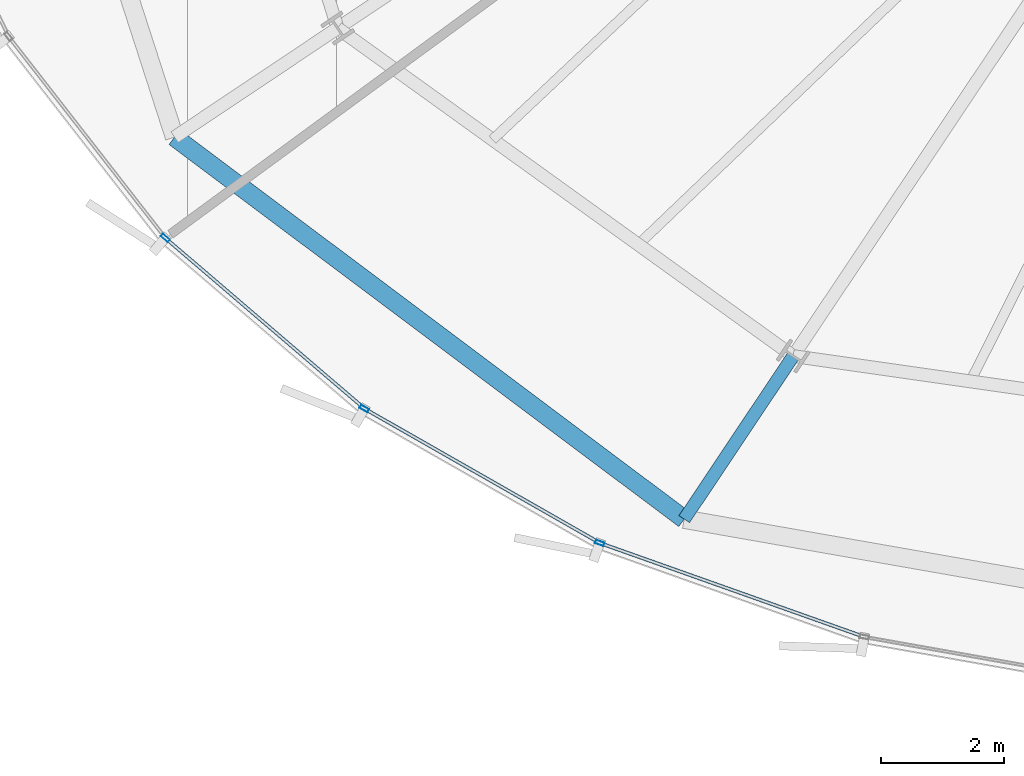
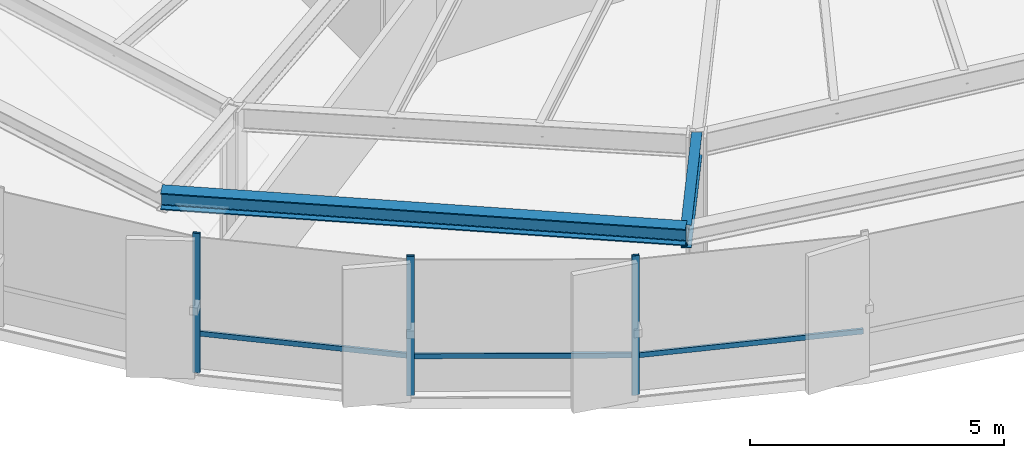
# One storey, part 2 of 33: 6 members, 2 beams, 1 element without a shape of its own.
"""IFC4 building model written with IfcOpenShell, lengths in metres."""

from ifc_helpers import new_model, si_unit, direction, frame, origin, origin_2d, place, context, subcontext, project, spatial, hollow_rectangle, i_section, extrude, source, transform, mapped, material, layer, layer_set, material_profile, profile_set, type_object, element, aggregate, save


model = new_model("IFC4")

# Units and contexts
model_context = context("Model", 3, precision=1e-05, world=origin(), true_north=direction((0.0, 1.0)))
body_context = subcontext(model_context, "Body", "Model", "MODEL_VIEW")
ifc_project = project(units=[si_unit("LENGTHUNIT", "METRE"), si_unit("AREAUNIT", "SQUARE_METRE"), si_unit("VOLUMEUNIT", "CUBIC_METRE"), si_unit("PLANEANGLEUNIT", "RADIAN"), si_unit("MASSUNIT", "GRAM", prefix="KILO"), si_unit("THERMODYNAMICTEMPERATUREUNIT", "KELVIN")], contexts=[model_context])

# Site, building, storey
site_placement = place(None, origin())
site = spatial("IfcSite", under=ifc_project, at=site_placement, CompositionType="ELEMENT")
building_placement = place(site_placement, origin())
building = spatial("IfcBuilding", under=site, at=building_placement, Name="Kethvar Cultural Tower", CompositionType="ELEMENT")
storey_placement = place(building_placement, frame((0.0, 0.0, 114.39990234375)))
storey = spatial("IfcBuildingStorey", under=building, at=storey_placement, Name="L28", CompositionType="ELEMENT", Elevation=114.39990234375)

# Beams
ifc_material_1 = material(Name="Steel S355J2", Category="steel")
ifc_material_profile_1 = material_profile(ifc_material_1, i_section(OverallWidth=0.2099609375, OverallDepth=0.550048828125, WebThickness=0.010986328125, FlangeThickness=0.01708984375, FilletRadius=0.02392578125, at=origin_2d()), Name="Steel S355J2 — IPE550")
ifc_profile_set_1 = profile_set([ifc_material_profile_1], Name="Steel S355J2 — IPE550")
beam_type_1 = type_object("IfcBeamType", Name="BM-IPE550", PredefinedType="BEAM", material=ifc_profile_set_1)
shared_shape_1 = source(origin(), body_context, "Body", "SweptSolid", [
    extrude(i_section(OverallWidth=0.2099609375, OverallDepth=0.550048828125, WebThickness=0.010986328125, FlangeThickness=0.01708984375, FilletRadius=0.02392578125, at=origin_2d()), origin(), (0.0, 0.0, 1.0), 3.199951171875),
])
beam_1_placement = place(storey_placement, frame((34.350830078125, 9.16845703125, 3.072998046875), z_axis=(-0.555580212716, -0.831462943996, 0.0), x_axis=(0.831462943996, -0.555580212716, 0.0)))
element("IfcBeam", 1, at=beam_1_placement, inside=storey, type_object=beam_type_1, Name="L28 Perimeter Cantilever Beam RC-11", PredefinedType="BEAM", context=body_context, shape_type="MappedRepresentation", body=[
    mapped(shared_shape_1, transform((0.0, 0.0, 0.0), scale=1.0)),
])
ifc_material_profile_2 = material_profile(ifc_material_1, i_section(OverallWidth=0.300048828125, OverallDepth=0.39990234375, WebThickness=0.013427734375, FlangeThickness=0.02392578125, FilletRadius=0.027099609375, at=origin_2d()), Name="Steel S355J2 — HEB400")
ifc_profile_set_2 = profile_set([ifc_material_profile_2], Name="Steel S355J2 — HEB400")
beam_type_2 = type_object("IfcBeamType", Name="BM-SP400", PredefinedType="SPANDREL", material=ifc_profile_set_2)
shared_shape_2 = source(origin(), body_context, "Body", "SweptSolid", [
    extrude(i_section(OverallWidth=0.300048828125, OverallDepth=0.39990234375, WebThickness=0.013427734375, FlangeThickness=0.02392578125, FilletRadius=0.027099609375, at=origin_2d()), origin(), (0.0, 0.0, 1.0), 10.38916015625),
])
beam_2_placement = place(storey_placement, frame((24.260009765625, 12.7392578125, 3.148193359375), z_axis=(0.800152249906, -0.599796946449, 0.0), x_axis=(0.599796946449, 0.800152249906, 0.0)))
element("IfcBeam", 2, at=beam_2_placement, inside=storey, type_object=beam_type_2, Name="L28 Perimeter Spandrel Beam SP-10", PredefinedType="SPANDREL", context=body_context, shape_type="MappedRepresentation", body=[
    mapped(shared_shape_2, transform((0.0, 0.0, 0.0), scale=1.0)),
])

# Curtain wall, members
ifc_material_2 = material(Name="Aluminium 6063-T6", Category="aluminium")
ifc_layer = layer(ifc_material_2, 0.179931640625, Name="Aluminium 6063-T6", Category="aluminium")
ifc_layer_set = layer_set([ifc_layer], Name="Aluminium 6063-T6 (180 mm)")
curtain_wall_type = type_object("IfcCurtainWallType", Name="CW-SYS-03-Z2", PredefinedType="NOTDEFINED", material=ifc_layer_set)
curtain_wall_placement = place(storey_placement, origin())
curtain_wall = element("IfcCurtainWall", 3, at=curtain_wall_placement, inside=storey, type_object=curtain_wall_type, Name="L28 Curtain Wall Run 04", PredefinedType="NOTDEFINED")
ifc_material_profile_3 = material_profile(ifc_material_2, hollow_rectangle(XDim=0.06005859375, YDim=0.14990234375, WallThickness=0.0048828125, at=origin_2d()), Name="Aluminium 6063-T6 — RHS150x60x5")
ifc_profile_set_3 = profile_set([ifc_material_profile_3], Name="Aluminium 6063-T6 — RHS150x60x5")
member_type_1 = type_object("IfcMemberType", Name="CW-SYS-03-Z2-MUL", PredefinedType="MULLION", material=ifc_profile_set_3)
shared_shape_3 = source(origin(), body_context, "Body", "SweptSolid", [
    extrude(hollow_rectangle(XDim=0.06005859375, YDim=0.14990234375, WallThickness=0.0048828125, at=origin_2d()), origin(), (0.0, 0.0, 1.0), 3.35009765625),
])
member_1_placement = place(storey_placement, frame((24.1083984375, 11.09423828125, 0.0), z_axis=(0.0, 0.0, 1.0), x_axis=(0.650350058695, 0.759634649786, 0.0)))
member_1 = element("IfcMember", 4, at=member_1_placement, type_object=member_type_1, Name="CW-L28-R04 Mullion 3", PredefinedType="MULLION", context=body_context, shape_type="MappedRepresentation", body=[
    mapped(shared_shape_3, transform((0.0, 0.0, 0.0), scale=1.0)),
])
member_2_placement = place(storey_placement, frame((27.355712890625, 8.311279296875, 0.0), z_axis=(0.0, 0.0, 1.0), x_axis=(0.495413186314, 0.868657455403, 0.0)))
member_2 = element("IfcMember", 5, at=member_2_placement, type_object=member_type_1, Name="CW-L28-R04 Mullion 4", PredefinedType="MULLION", context=body_context, shape_type="MappedRepresentation", body=[
    mapped(shared_shape_3, transform((0.0, 0.0, 0.0), scale=1.0)),
])
member_3_placement = place(storey_placement, frame((31.195068359375, 6.11962890625, 0.0), z_axis=(0.0, 0.0, 1.0), x_axis=(0.334547105099, 0.942379029091, 0.0)))
member_3 = element("IfcMember", 6, at=member_3_placement, type_object=member_type_1, Name="CW-L28-R04 Mullion 5", PredefinedType="MULLION", context=body_context, shape_type="MappedRepresentation", body=[
    mapped(shared_shape_3, transform((0.0, 0.0, 0.0), scale=1.0)),
])
ifc_material_profile_4 = material_profile(ifc_material_2, hollow_rectangle(XDim=0.054931640625, YDim=0.1201171875, WallThickness=0.00390625, at=origin_2d()), Name="Aluminium 6063-T6 — RHS120x55x4")
ifc_profile_set_4 = profile_set([ifc_material_profile_4], Name="Aluminium 6063-T6 — RHS120x55x4")
member_type_2 = type_object("IfcMemberType", Name="CW-SYS-03-Z2-TRN", PredefinedType="USERDEFINED", material=ifc_profile_set_4)
shared_shape_4 = source(origin(), body_context, "Body", "SweptSolid", [
    extrude(hollow_rectangle(XDim=0.054931640625, YDim=0.1201171875, WallThickness=0.00390625, at=origin_2d()), origin(), (0.0, 0.0, 1.0), 4.2119140625),
])
member_4_placement = place(storey_placement, frame((24.141357421875, 11.066162109375, 0.9501953125), z_axis=(0.759624725853, -0.650361650063, 0.0), x_axis=(0.650361650063, 0.759624725853, 0.0)))
member_4 = element("IfcMember", 7, at=member_4_placement, type_object=member_type_2, Name="CW-L28-R04 Transom 3", ObjectType="TRANSOM", PredefinedType="USERDEFINED", context=body_context, shape_type="MappedRepresentation", body=[
    mapped(shared_shape_4, transform((0.0, 0.0, 0.0), scale=1.0)),
])
shared_shape_5 = source(origin(), body_context, "Body", "SweptSolid", [
    extrude(hollow_rectangle(XDim=0.054931640625, YDim=0.1201171875, WallThickness=0.00390625, at=origin_2d()), origin(), (0.0, 0.0, 1.0), 4.3544921875),
])
member_5_placement = place(storey_placement, frame((27.393310546875, 8.289794921875, 0.9501953125), z_axis=(0.868656878192, -0.495414198393, 0.0), x_axis=(0.495414198393, 0.868656878192, 0.0)))
member_5 = element("IfcMember", 8, at=member_5_placement, type_object=member_type_2, Name="CW-L28-R04 Transom 4", ObjectType="TRANSOM", PredefinedType="USERDEFINED", context=body_context, shape_type="MappedRepresentation", body=[
    mapped(shared_shape_5, transform((0.0, 0.0, 0.0), scale=1.0)),
])
shared_shape_6 = source(origin(), body_context, "Body", "SweptSolid", [
    extrude(hollow_rectangle(XDim=0.054931640625, YDim=0.1201171875, WallThickness=0.00390625, at=origin_2d()), origin(), (0.0, 0.0, 1.0), 4.51171875),
])
member_6_placement = place(storey_placement, frame((31.235595703125, 6.105224609375, 0.9501953125), z_axis=(0.942385377407, -0.334529222115, 0.0), x_axis=(0.334529222115, 0.942385377407, 0.0)))
member_6 = element("IfcMember", 9, at=member_6_placement, type_object=member_type_2, Name="CW-L28-R04 Transom 5", ObjectType="TRANSOM", PredefinedType="USERDEFINED", context=body_context, shape_type="MappedRepresentation", body=[
    mapped(shared_shape_6, transform((0.0, 0.0, 0.0), scale=1.0)),
])
aggregate(curtain_wall, [member_1, member_2, member_3, member_4, member_5, member_6])

save(model, "model.ifc")
